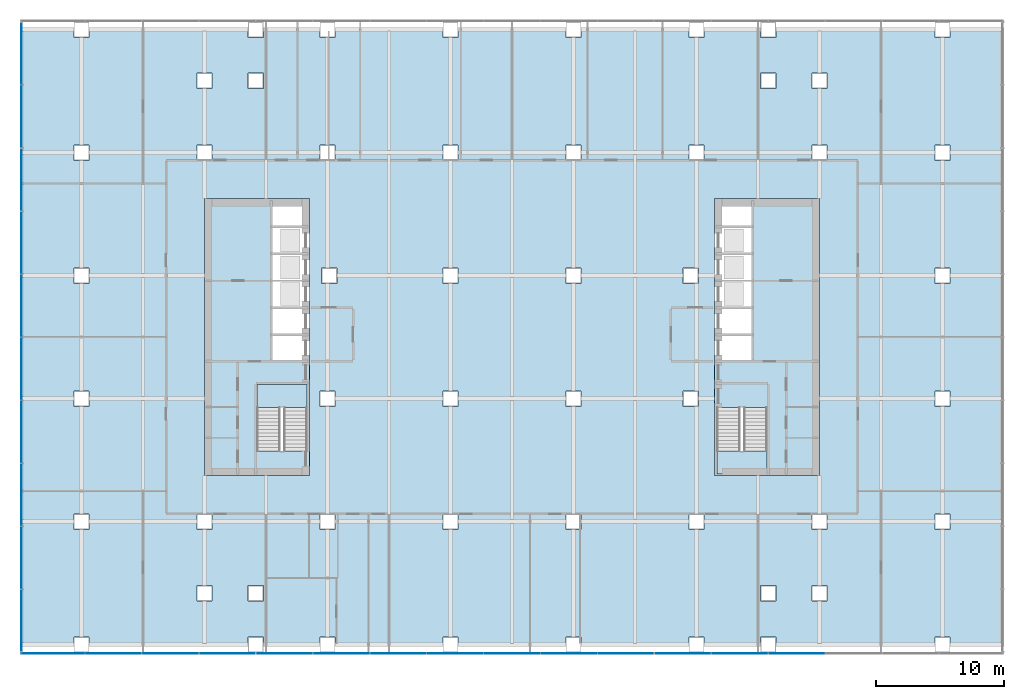
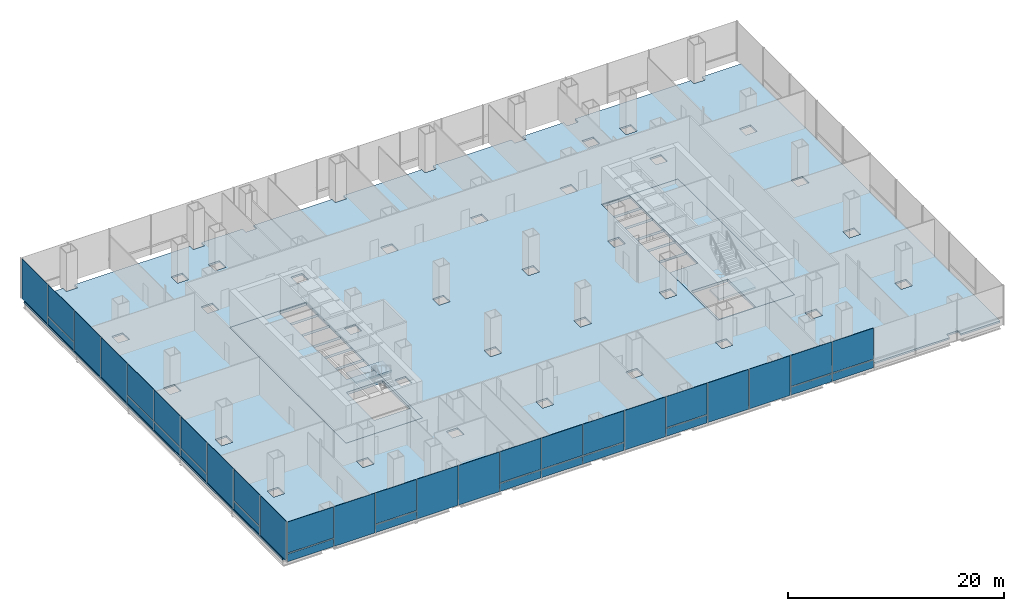
# One storey, part 14 of 23: 37 plates, 5 slabs, 4 elements without a shape of their own.
"""IFC4 building model written with IfcOpenShell, lengths in metres."""

import ifcopenshell
import ifcopenshell.guid

model = None  # the IFC model being written
_history = None  # IfcOwnerHistory: only IFC2X3 demands one
_inside = {}  # id of a spatial element -> (the spatial element, [elements in it])
_under = {}  # id of a project, library or spatial element -> (it, [spatial elements below it])
_declared = {}  # id of a project -> (the project, [libraries it declares])
_typed = {}  # id of a type object -> (the type object, [elements of that type])
_made_of = {}  # id of a material, layer set ... -> (it, [elements and type objects made of it])


def new_model(schema):
    """Start an empty IFC model of exactly this schema.

    Asked for "IFC4X3", IfcOpenShell would pick the latest addendum, in which some entities
    have other attributes; the version numbers below select the first issue.
    IFC2X3 requires an IfcOwnerHistory on every rooted entity: one is made here for all.
    """
    global model, _history
    if schema == "IFC4X3":
        model = ifcopenshell.file(schema_version=(4, 3, 0, 0))
    else:
        model = ifcopenshell.file(schema=schema)
    _inside.clear()
    _under.clear()
    _declared.clear()
    _typed.clear()
    _made_of.clear()
    _history = None
    if model.schema == "IFC2X3":
        org = make("IfcOrganization", Name="unknown")
        user = make(
            "IfcPersonAndOrganization",
            ThePerson=make("IfcPerson", FamilyName="unknown"),
            TheOrganization=org,
        )
        app = make(
            "IfcApplication",
            ApplicationDeveloper=org,
            Version="unknown",
            ApplicationFullName="unknown",
            ApplicationIdentifier="unknown",
        )
        _history = make(
            "IfcOwnerHistory",
            OwningUser=user,
            OwningApplication=app,
            ChangeAction="ADDED",
            CreationDate=0,
        )
    return model


def make(cls, **values):
    """One entity of the class cls with the attributes given. An attribute that is None is left unset."""
    return model.create_entity(
        cls, **{name: value for name, value in values.items() if value is not None}
    )


def rooted(cls, **values):
    """An entity with a GlobalId (a new one), such as an element, a storey or a relation."""
    return make(cls, GlobalId=ifcopenshell.guid.new(), OwnerHistory=_history, **values)


def si_unit(unit_type, name, prefix=None):
    """IfcSIUnit, for example si_unit("LENGTHUNIT", "METRE", prefix="MILLI")."""
    return make("IfcSIUnit", UnitType=unit_type, Prefix=prefix, Name=name)


def assignment(units):
    """IfcUnitAssignment: the units of a project."""
    return None if units is None else make("IfcUnitAssignment", Units=units)


def point(xyz):
    """IfcCartesianPoint."""
    return None if xyz is None else make("IfcCartesianPoint", Coordinates=xyz)


def direction(xyz):
    """IfcDirection."""
    return None if xyz is None else make("IfcDirection", DirectionRatios=xyz)


def frame(location, z_axis=None, x_axis=None):
    """IfcAxis2Placement3D, a coordinate frame: its origin and axes. An axis left out is left unset."""
    return make(
        "IfcAxis2Placement3D",
        Location=point(location),
        Axis=direction(z_axis),
        RefDirection=direction(x_axis),
    )


def frame_2d(location, x_axis=None):
    """IfcAxis2Placement2D, a coordinate frame in the plane: its origin and x axis."""
    return make(
        "IfcAxis2Placement2D", Location=point(location), RefDirection=direction(x_axis)
    )


def origin():
    """The frame at (0, 0, 0) with its axes left unset."""
    return frame((0.0, 0.0, 0.0))


def origin_2d():
    """The frame at (0, 0) in the plane with its x axis left unset."""
    return frame_2d((0.0, 0.0))


def place(relative_to, where):
    """IfcLocalPlacement: puts the frame where relative to a parent placement (None: the world)."""
    return make(
        "IfcLocalPlacement", PlacementRelTo=relative_to, RelativePlacement=where
    )


def context(
    kind, dimensions, precision=None, world=None, true_north=None, identifier=None
):
    """IfcGeometricRepresentationContext, for example the 3D "Model" context."""
    return make(
        "IfcGeometricRepresentationContext",
        ContextIdentifier=identifier,
        ContextType=kind,
        CoordinateSpaceDimension=dimensions,
        Precision=precision,
        WorldCoordinateSystem=world,
        TrueNorth=true_north,
    )


def subcontext(parent, identifier, kind, view, scale=None):
    """IfcGeometricRepresentationSubContext, for example "Body" below "Model"."""
    return make(
        "IfcGeometricRepresentationSubContext",
        ContextIdentifier=identifier,
        ContextType=kind,
        ParentContext=parent,
        TargetScale=scale,
        TargetView=view,
    )


def project(units=None, contexts=None):
    """IfcProject with its units and contexts."""
    return rooted(
        "IfcProject",
        Name="project",
        RepresentationContexts=contexts,
        UnitsInContext=assignment(units),
    )


def spatial(cls, under=None, at=None, **own):
    """A site, building, storey or space (cls), placed at a placement, below another one or the project."""
    s = rooted(cls, ObjectPlacement=at, **own)
    if under is not None:
        _under.setdefault(under.id(), (under, []))[1].append(s)
    return s


def polyline(points):
    """IfcPolyline through the points."""
    return make("IfcPolyline", Points=[point(p) for p in points])


def profile(cls, at=None, kind="AREA", **sizes):
    """A parametric profile (cls). Its sizes go by their IFC names, for example OverallWidth=200.0."""
    return make(cls, ProfileType=kind, Position=at, **sizes)


def rectangle(**sizes):
    """IfcRectangleProfileDef."""
    return profile("IfcRectangleProfileDef", **sizes)


def outline(outer, holes=None, kind="AREA"):
    """IfcArbitraryClosedProfileDef: a profile drawn as a closed curve; with holes, ...WithVoids."""
    if holes is None:
        return make("IfcArbitraryClosedProfileDef", ProfileType=kind, OuterCurve=outer)
    return make(
        "IfcArbitraryProfileDefWithVoids",
        ProfileType=kind,
        OuterCurve=outer,
        InnerCurves=holes,
    )


def extrude(swept, where, along, depth):
    """IfcExtrudedAreaSolid: the profile swept, set in the frame where, extruded along a direction by depth."""
    return make(
        "IfcExtrudedAreaSolid",
        SweptArea=swept,
        Position=where,
        ExtrudedDirection=direction(along),
        Depth=depth,
    )


def shape(context_of_items, identifier, shape_type, items):
    """IfcShapeRepresentation: the items that make up one representation, for example the "Body"."""
    return make(
        "IfcShapeRepresentation",
        ContextOfItems=context_of_items,
        RepresentationIdentifier=identifier,
        RepresentationType=shape_type,
        Items=items,
    )


def material(Name=None, Category=None):
    """IfcMaterial."""
    return make("IfcMaterial", Name=Name, Category=Category)


def layer(
    of_material, thickness, ventilated=None, Name=None, Category=None, Priority=None
):
    """IfcMaterialLayer: one layer of a wall or slab, of a material (None: an air gap)."""
    return make(
        "IfcMaterialLayer",
        Material=of_material,
        LayerThickness=thickness,
        IsVentilated=ventilated,
        Name=Name,
        Category=Category,
        Priority=Priority,
    )


def layer_set(layers, Name=None):
    """IfcMaterialLayerSet."""
    return make("IfcMaterialLayerSet", MaterialLayers=layers, LayerSetName=Name)


def made_of(thing, what):
    """Note that an element or type object is made of a material, layer set ...; save() writes the relation."""
    if what is not None:
        _made_of.setdefault(what.id(), (what, []))[1].append(thing)
    return thing


def type_object(cls, material=None, **own):
    """A type object (cls), such as IfcWallType, which elements share."""
    return made_of(rooted(cls, **own), material)


def element(
    cls,
    number,
    at=None,
    inside=None,
    cuts=None,
    type_object=None,
    material=None,
    context=None,
    identifier="Body",
    shape_type=None,
    held_by="IfcProductDefinitionShape",
    body=None,
    shapes=None,
    **own,
):
    """One element of the class cls, such as IfcWall. Its Tag is "e" and its number.

    at: its placement. inside: the storey or other place that contains it. cuts: it is an
    opening in that element (IfcRelVoidsElement). A single representation is given by context,
    identifier, shape_type and body (its items); several are given by shapes. held_by: the class
    of the entity that holds the representations. save() writes the other relations.
    """
    e = rooted(cls, Tag="e%d" % number, ObjectPlacement=at, **own)
    if body is not None:
        shapes = [shape(context, identifier, shape_type, body)]
    if shapes is not None:
        e.Representation = make(held_by, Representations=shapes)
    if inside is not None:
        _inside.setdefault(inside.id(), (inside, []))[1].append(e)
    if cuts is not None:
        rooted(
            "IfcRelVoidsElement", RelatingBuildingElement=cuts, RelatedOpeningElement=e
        )
    if type_object is not None:
        _typed.setdefault(type_object.id(), (type_object, []))[1].append(e)
    return made_of(e, material)


def aggregate(whole, parts):
    """IfcRelAggregates: a whole, such as a stair, and the parts it consists of."""
    return rooted("IfcRelAggregates", RelatingObject=whole, RelatedObjects=parts)


def save(model, path):
    """Write the relations noted so far, then the file.

    IfcRelAggregates (storeys below a building ...), IfcRelContainedInSpatialStructure (elements
    in a storey), IfcRelDefinesByType, IfcRelAssociatesMaterial and IfcRelDeclares: one each for
    every whole, place, type object, material and project.
    """
    for whole, parts in _under.values():
        aggregate(whole, parts)
    for where, things in _inside.values():
        rooted(
            "IfcRelContainedInSpatialStructure",
            RelatedElements=things,
            RelatingStructure=where,
        )
    for kind, things in _typed.values():
        rooted("IfcRelDefinesByType", RelatedObjects=things, RelatingType=kind)
    for what, things in _made_of.values():
        rooted("IfcRelAssociatesMaterial", RelatedObjects=things, RelatingMaterial=what)
    for by, libraries in _declared.values():
        rooted("IfcRelDeclares", RelatingContext=by, RelatedDefinitions=libraries)
    model.write(path)


model = new_model("IFC4")

# Units and contexts
model_context = context("Model", 3, precision=1e-05, world=origin(), true_north=direction((0.0, 1.0)))
body_context = subcontext(model_context, "Body", "Model", "MODEL_VIEW")
ifc_project = project(units=[si_unit("LENGTHUNIT", "METRE"), si_unit("AREAUNIT", "SQUARE_METRE"), si_unit("VOLUMEUNIT", "CUBIC_METRE"), si_unit("PLANEANGLEUNIT", "RADIAN"), si_unit("MASSUNIT", "GRAM", prefix="KILO")], contexts=[model_context])

# Site, building, storey
site_placement = place(None, origin())
site = spatial("IfcSite", under=ifc_project, at=site_placement, CompositionType="ELEMENT")
building_placement = place(site_placement, origin())
building = spatial("IfcBuilding", under=site, at=building_placement, Name="Cobrizo Arcos Hotel Tower", CompositionType="ELEMENT")
storey_placement = place(building_placement, frame((0.0, 0.0, 20.0)))
storey = spatial("IfcBuildingStorey", under=building, at=storey_placement, Name="L03", CompositionType="ELEMENT", Elevation=20.0)

# Curtain wall, plates
ifc_material_1 = material(Name="Aluminium 6063-T6 anodised bronze", Category="aluminium")
curtain_wall_type_1 = type_object("IfcCurtainWallType", Name="CW-A guest facade", PredefinedType="NOTDEFINED", material=ifc_material_1)
curtain_wall_1_placement = place(storey_placement, origin())
curtain_wall_1 = element("IfcCurtainWall", 1, at=curtain_wall_1_placement, inside=storey, type_object=curtain_wall_type_1, Name="CW-A L03 S face", PredefinedType="NOTDEFINED")
ifc_material_2 = material(Name="Glass clear laminated low-e", Category="glass")
ifc_layer_1 = layer(ifc_material_2, 0.0400390625)
ifc_layer_set_1 = layer_set([ifc_layer_1], Name="CW-A glass panel")
plate_type_1 = type_object("IfcPlateType", Name="CW-A glass panel", PredefinedType="CURTAIN_PANEL", material=ifc_layer_set_1)
plate_1_placement = place(storey_placement, frame((-35.839111328125, -24.675048828125, 0.990234375), z_axis=(0.0, 0.0, 1.0), x_axis=(1.0, 0.0, 0.0)))
plate_1 = element("IfcPlate", 2, at=plate_1_placement, type_object=plate_type_1, Name="CW-A glass panel 198", PredefinedType="CURTAIN_PANEL", context=body_context, shape_type="SweptSolid", body=[
    extrude(rectangle(XDim=4.95166015625, YDim=0.0400390625, at=origin_2d()), origin(), (0.0, 0.0, 1.0), 3.510009765625),
])
plate_2_placement = place(storey_placement, frame((-26.666748046875, -24.675048828125, 0.990234375), z_axis=(0.0, 0.0, 1.0), x_axis=(1.0, 0.0, 0.0)))
plate_2 = element("IfcPlate", 3, at=plate_2_placement, type_object=plate_type_1, Name="CW-A glass panel 200", PredefinedType="CURTAIN_PANEL", context=body_context, shape_type="SweptSolid", body=[
    extrude(rectangle(XDim=4.384521484375, YDim=0.0400390625, at=origin_2d()), origin(), (0.0, 0.0, 1.0), 3.510009765625),
])
plate_3_placement = place(storey_placement, frame((-13.333251953125, -24.675048828125, 0.990234375), z_axis=(0.0, 0.0, 1.0), x_axis=(1.0, 0.0, 0.0)))
plate_3 = element("IfcPlate", 4, at=plate_3_placement, type_object=plate_type_1, Name="CW-A glass panel 203", PredefinedType="CURTAIN_PANEL", context=body_context, shape_type="SweptSolid", body=[
    extrude(rectangle(XDim=4.384521484375, YDim=0.0400390625, at=origin_2d()), origin(), (0.0, 0.0, 1.0), 3.510009765625),
])
plate_4_placement = place(storey_placement, frame((-8.888916015625, -24.675048828125, 0.990234375), z_axis=(0.0, 0.0, 1.0), x_axis=(1.0, 0.0, 0.0)))
plate_4 = element("IfcPlate", 5, at=plate_4_placement, type_object=plate_type_1, Name="CW-A glass panel 204", PredefinedType="CURTAIN_PANEL", context=body_context, shape_type="SweptSolid", body=[
    extrude(rectangle(XDim=4.384521484375, YDim=0.0400390625, at=origin_2d()), origin(), (0.0, 0.0, 1.0), 3.510009765625),
])
plate_5_placement = place(storey_placement, frame((-4.4443359375, -24.675048828125, 0.990234375), z_axis=(0.0, 0.0, 1.0), x_axis=(1.0, 0.0, 0.0)))
plate_5 = element("IfcPlate", 6, at=plate_5_placement, type_object=plate_type_1, Name="CW-A glass panel 205", PredefinedType="CURTAIN_PANEL", context=body_context, shape_type="SweptSolid", body=[
    extrude(rectangle(XDim=4.384521484375, YDim=0.0400390625, at=origin_2d()), origin(), (0.0, 0.0, 1.0), 3.510009765625),
])
plate_6_placement = place(storey_placement, frame((4.4443359375, -24.675048828125, 0.990234375), z_axis=(0.0, 0.0, 1.0), x_axis=(1.0, 0.0, 0.0)))
plate_6 = element("IfcPlate", 7, at=plate_6_placement, type_object=plate_type_1, Name="CW-A glass panel 207", PredefinedType="CURTAIN_PANEL", context=body_context, shape_type="SweptSolid", body=[
    extrude(rectangle(XDim=4.384521484375, YDim=0.0400390625, at=origin_2d()), origin(), (0.0, 0.0, 1.0), 3.510009765625),
])
plate_7_placement = place(storey_placement, frame((17.77783203125, -24.675048828125, 0.990234375), z_axis=(0.0, 0.0, 1.0), x_axis=(1.0, 0.0, 0.0)))
plate_7 = element("IfcPlate", 8, at=plate_7_placement, type_object=plate_type_1, Name="CW-A glass panel 210", PredefinedType="CURTAIN_PANEL", context=body_context, shape_type="SweptSolid", body=[
    extrude(rectangle(XDim=4.384521484375, YDim=0.0400390625, at=origin_2d()), origin(), (0.0, 0.0, 1.0), 3.510009765625),
])
plate_8_placement = place(storey_placement, frame((22.22216796875, -24.675048828125, 0.990234375), z_axis=(0.0, 0.0, 1.0), x_axis=(1.0, 0.0, 0.0)))
plate_8 = element("IfcPlate", 9, at=plate_8_placement, type_object=plate_type_1, Name="CW-A glass panel 211", PredefinedType="CURTAIN_PANEL", context=body_context, shape_type="SweptSolid", body=[
    extrude(rectangle(XDim=4.384521484375, YDim=0.0400390625, at=origin_2d()), origin(), (0.0, 0.0, 1.0), 3.510009765625),
])
ifc_material_3 = material(Name="Aluminium composite panel pale metal", Category="aluminium")
ifc_layer_2 = layer(ifc_material_3, 0.0400390625)
ifc_layer_set_2 = layer_set([ifc_layer_2], Name="CW-A spandrel panel")
plate_type_2 = type_object("IfcPlateType", Name="CW-A spandrel panel", PredefinedType="CURTAIN_PANEL", material=ifc_layer_set_2)
plate_9_placement = place(storey_placement, frame((-35.839111328125, -24.675048828125, 0.0), z_axis=(0.0, 0.0, 1.0), x_axis=(1.0, 0.0, 0.0)))
plate_9 = element("IfcPlate", 10, at=plate_9_placement, type_object=plate_type_2, Name="CW-A spandrel panel 198", PredefinedType="CURTAIN_PANEL", context=body_context, shape_type="SweptSolid", body=[
    extrude(rectangle(XDim=4.95166015625, YDim=0.0400390625, at=origin_2d()), origin(), (0.0, 0.0, 1.0), 0.8701171875),
])
plate_10_placement = place(storey_placement, frame((-31.111083984375, -24.675048828125, 0.0), z_axis=(0.0, 0.0, 1.0), x_axis=(1.0, 0.0, 0.0)))
plate_10 = element("IfcPlate", 11, at=plate_10_placement, type_object=plate_type_2, Name="CW-A spandrel panel 199", PredefinedType="CURTAIN_PANEL", context=body_context, shape_type="SweptSolid", body=[
    extrude(rectangle(XDim=4.384521484375, YDim=0.0400390625, at=origin_2d()), origin(), (0.0, 0.0, 1.0), 4.5),
])
plate_11_placement = place(storey_placement, frame((-26.666748046875, -24.675048828125, 0.0), z_axis=(0.0, 0.0, 1.0), x_axis=(1.0, 0.0, 0.0)))
plate_11 = element("IfcPlate", 12, at=plate_11_placement, type_object=plate_type_2, Name="CW-A spandrel panel 200", PredefinedType="CURTAIN_PANEL", context=body_context, shape_type="SweptSolid", body=[
    extrude(rectangle(XDim=4.384521484375, YDim=0.0400390625, at=origin_2d()), origin(), (0.0, 0.0, 1.0), 0.8701171875),
])
plate_12_placement = place(storey_placement, frame((-22.22216796875, -24.675048828125, 0.0), z_axis=(0.0, 0.0, 1.0), x_axis=(1.0, 0.0, 0.0)))
plate_12 = element("IfcPlate", 13, at=plate_12_placement, type_object=plate_type_2, Name="CW-A spandrel panel 201", PredefinedType="CURTAIN_PANEL", context=body_context, shape_type="SweptSolid", body=[
    extrude(rectangle(XDim=4.384521484375, YDim=0.0400390625, at=origin_2d()), origin(), (0.0, 0.0, 1.0), 4.5),
])
plate_13_placement = place(storey_placement, frame((-17.77783203125, -24.675048828125, 0.0), z_axis=(0.0, 0.0, 1.0), x_axis=(1.0, 0.0, 0.0)))
plate_13 = element("IfcPlate", 14, at=plate_13_placement, type_object=plate_type_2, Name="CW-A spandrel panel 202", PredefinedType="CURTAIN_PANEL", context=body_context, shape_type="SweptSolid", body=[
    extrude(rectangle(XDim=4.384521484375, YDim=0.0400390625, at=origin_2d()), origin(), (0.0, 0.0, 1.0), 4.5),
])
plate_14_placement = place(storey_placement, frame((-13.333251953125, -24.675048828125, 0.0), z_axis=(0.0, 0.0, 1.0), x_axis=(1.0, 0.0, 0.0)))
plate_14 = element("IfcPlate", 15, at=plate_14_placement, type_object=plate_type_2, Name="CW-A spandrel panel 203", PredefinedType="CURTAIN_PANEL", context=body_context, shape_type="SweptSolid", body=[
    extrude(rectangle(XDim=4.384521484375, YDim=0.0400390625, at=origin_2d()), origin(), (0.0, 0.0, 1.0), 0.8701171875),
])
plate_15_placement = place(storey_placement, frame((-8.888916015625, -24.675048828125, 0.0), z_axis=(0.0, 0.0, 1.0), x_axis=(1.0, 0.0, 0.0)))
plate_15 = element("IfcPlate", 16, at=plate_15_placement, type_object=plate_type_2, Name="CW-A spandrel panel 204", PredefinedType="CURTAIN_PANEL", context=body_context, shape_type="SweptSolid", body=[
    extrude(rectangle(XDim=4.384521484375, YDim=0.0400390625, at=origin_2d()), origin(), (0.0, 0.0, 1.0), 0.8701171875),
])
plate_16_placement = place(storey_placement, frame((-4.4443359375, -24.675048828125, 0.0), z_axis=(0.0, 0.0, 1.0), x_axis=(1.0, 0.0, 0.0)))
plate_16 = element("IfcPlate", 17, at=plate_16_placement, type_object=plate_type_2, Name="CW-A spandrel panel 205", PredefinedType="CURTAIN_PANEL", context=body_context, shape_type="SweptSolid", body=[
    extrude(rectangle(XDim=4.384521484375, YDim=0.0400390625, at=origin_2d()), origin(), (0.0, 0.0, 1.0), 0.8701171875),
])
plate_17_placement = place(storey_placement, frame((0.0, -24.675048828125, 0.0), z_axis=(0.0, 0.0, 1.0), x_axis=(1.0, 0.0, 0.0)))
plate_17 = element("IfcPlate", 18, at=plate_17_placement, type_object=plate_type_2, Name="CW-A spandrel panel 206", PredefinedType="CURTAIN_PANEL", context=body_context, shape_type="SweptSolid", body=[
    extrude(rectangle(XDim=4.384521484375, YDim=0.0400390625, at=origin_2d()), origin(), (0.0, 0.0, 1.0), 4.5),
])
plate_18_placement = place(storey_placement, frame((4.4443359375, -24.675048828125, 0.0), z_axis=(0.0, 0.0, 1.0), x_axis=(1.0, 0.0, 0.0)))
plate_18 = element("IfcPlate", 19, at=plate_18_placement, type_object=plate_type_2, Name="CW-A spandrel panel 207", PredefinedType="CURTAIN_PANEL", context=body_context, shape_type="SweptSolid", body=[
    extrude(rectangle(XDim=4.384521484375, YDim=0.0400390625, at=origin_2d()), origin(), (0.0, 0.0, 1.0), 0.8701171875),
])
plate_19_placement = place(storey_placement, frame((8.888916015625, -24.675048828125, 0.0), z_axis=(0.0, 0.0, 1.0), x_axis=(1.0, 0.0, 0.0)))
plate_19 = element("IfcPlate", 20, at=plate_19_placement, type_object=plate_type_2, Name="CW-A spandrel panel 208", PredefinedType="CURTAIN_PANEL", context=body_context, shape_type="SweptSolid", body=[
    extrude(rectangle(XDim=4.384521484375, YDim=0.0400390625, at=origin_2d()), origin(), (0.0, 0.0, 1.0), 4.5),
])
plate_20_placement = place(storey_placement, frame((13.333251953125, -24.675048828125, 0.0), z_axis=(0.0, 0.0, 1.0), x_axis=(1.0, 0.0, 0.0)))
plate_20 = element("IfcPlate", 21, at=plate_20_placement, type_object=plate_type_2, Name="CW-A spandrel panel 209", PredefinedType="CURTAIN_PANEL", context=body_context, shape_type="SweptSolid", body=[
    extrude(rectangle(XDim=4.384521484375, YDim=0.0400390625, at=origin_2d()), origin(), (0.0, 0.0, 1.0), 4.5),
])
plate_21_placement = place(storey_placement, frame((17.77783203125, -24.675048828125, 0.0), z_axis=(0.0, 0.0, 1.0), x_axis=(1.0, 0.0, 0.0)))
plate_21 = element("IfcPlate", 22, at=plate_21_placement, type_object=plate_type_2, Name="CW-A spandrel panel 210", PredefinedType="CURTAIN_PANEL", context=body_context, shape_type="SweptSolid", body=[
    extrude(rectangle(XDim=4.384521484375, YDim=0.0400390625, at=origin_2d()), origin(), (0.0, 0.0, 1.0), 0.8701171875),
])
plate_22_placement = place(storey_placement, frame((22.22216796875, -24.675048828125, 0.0), z_axis=(0.0, 0.0, 1.0), x_axis=(1.0, 0.0, 0.0)))
plate_22 = element("IfcPlate", 23, at=plate_22_placement, type_object=plate_type_2, Name="CW-A spandrel panel 211", PredefinedType="CURTAIN_PANEL", context=body_context, shape_type="SweptSolid", body=[
    extrude(rectangle(XDim=4.384521484375, YDim=0.0400390625, at=origin_2d()), origin(), (0.0, 0.0, 1.0), 0.8701171875),
])
aggregate(curtain_wall_1, [plate_9, plate_1, plate_10, plate_11, plate_2, plate_12, plate_13, plate_14, plate_3, plate_15, plate_4, plate_16, plate_5, plate_17, plate_18, plate_6, plate_19, plate_20, plate_21, plate_7, plate_22, plate_8])

curtain_wall_type_2 = type_object("IfcCurtainWallType", Name="CW-B podium glazing", PredefinedType="NOTDEFINED", material=ifc_material_1)
curtain_wall_2_placement = place(storey_placement, origin())
curtain_wall_2 = element("IfcCurtainWall", 24, at=curtain_wall_2_placement, inside=storey, type_object=curtain_wall_type_2, Name="CW-B L03 W face", PredefinedType="NOTDEFINED")
ifc_layer_3 = layer(ifc_material_2, 0.0400390625)
ifc_layer_set_3 = layer_set([ifc_layer_3], Name="CW-B glass panel")
plate_type_3 = type_object("IfcPlateType", Name="CW-B glass panel", PredefinedType="CURTAIN_PANEL", material=ifc_layer_set_3)
plate_23_placement = place(storey_placement, frame((-38.300048828125, 17.219970703125, 0.97998046875), z_axis=(0.0, 0.0, 1.0), x_axis=(0.0, -1.0, 0.0)))
plate_23 = element("IfcPlate", 25, at=plate_23_placement, type_object=plate_type_3, Name="CW-B glass panel 189", PredefinedType="CURTAIN_PANEL", context=body_context, shape_type="SweptSolid", body=[
    extrude(rectangle(XDim=4.840087890625, YDim=0.0400390625, at=origin_2d()), origin(), (0.0, 0.0, 1.0), 3.52001953125),
])
plate_24_placement = place(storey_placement, frame((-38.300048828125, 2.4599609375, 0.97998046875), z_axis=(0.0, 0.0, 1.0), x_axis=(0.0, -1.0, 0.0)))
plate_24 = element("IfcPlate", 26, at=plate_24_placement, type_object=plate_type_3, Name="CW-B glass panel 192", PredefinedType="CURTAIN_PANEL", context=body_context, shape_type="SweptSolid", body=[
    extrude(rectangle(XDim=4.840087890625, YDim=0.0400390625, at=origin_2d()), origin(), (0.0, 0.0, 1.0), 3.52001953125),
])
plate_25_placement = place(storey_placement, frame((-38.300048828125, -2.4599609375, 0.97998046875), z_axis=(0.0, 0.0, 1.0), x_axis=(0.0, -1.0, 0.0)))
plate_25 = element("IfcPlate", 27, at=plate_25_placement, type_object=plate_type_3, Name="CW-B glass panel 193", PredefinedType="CURTAIN_PANEL", context=body_context, shape_type="SweptSolid", body=[
    extrude(rectangle(XDim=4.840087890625, YDim=0.0400390625, at=origin_2d()), origin(), (0.0, 0.0, 1.0), 3.52001953125),
])
plate_26_placement = place(storey_placement, frame((-38.300048828125, -7.3798828125, 0.97998046875), z_axis=(0.0, 0.0, 1.0), x_axis=(0.0, -1.0, 0.0)))
plate_26 = element("IfcPlate", 28, at=plate_26_placement, type_object=plate_type_3, Name="CW-B glass panel 194", PredefinedType="CURTAIN_PANEL", context=body_context, shape_type="SweptSolid", body=[
    extrude(rectangle(XDim=4.840087890625, YDim=0.0400390625, at=origin_2d()), origin(), (0.0, 0.0, 1.0), 3.52001953125),
])
plate_27_placement = place(storey_placement, frame((-38.300048828125, -17.219970703125, 0.97998046875), z_axis=(0.0, 0.0, 1.0), x_axis=(0.0, -1.0, 0.0)))
plate_27 = element("IfcPlate", 29, at=plate_27_placement, type_object=plate_type_3, Name="CW-B glass panel 196", PredefinedType="CURTAIN_PANEL", context=body_context, shape_type="SweptSolid", body=[
    extrude(rectangle(XDim=4.840087890625, YDim=0.0400390625, at=origin_2d()), origin(), (0.0, 0.0, 1.0), 3.52001953125),
])
ifc_layer_4 = layer(ifc_material_3, 0.06005859375)
ifc_layer_set_4 = layer_set([ifc_layer_4], Name="CW-B spandrel panel")
plate_type_4 = type_object("IfcPlateType", Name="CW-B spandrel panel", PredefinedType="CURTAIN_PANEL", material=ifc_layer_set_4)
plate_28_placement = place(storey_placement, frame((-38.300048828125, 22.1201171875, 0.0), z_axis=(0.0, 0.0, 1.0), x_axis=(0.0, -1.0, 0.0)))
plate_28 = element("IfcPlate", 30, at=plate_28_placement, type_object=plate_type_4, Name="CW-B spandrel panel 188", PredefinedType="CURTAIN_PANEL", context=body_context, shape_type="SweptSolid", body=[
    extrude(rectangle(XDim=4.800048828125, YDim=0.0400390625, at=origin_2d()), origin(), (0.0, 0.0, 1.0), 4.5),
])
plate_29_placement = place(storey_placement, frame((-38.300048828125, 17.219970703125, 0.0), z_axis=(0.0, 0.0, 1.0), x_axis=(0.0, -1.0, 0.0)))
plate_29 = element("IfcPlate", 31, at=plate_29_placement, type_object=plate_type_4, Name="CW-B spandrel panel 189", PredefinedType="CURTAIN_PANEL", context=body_context, shape_type="SweptSolid", body=[
    extrude(rectangle(XDim=4.840087890625, YDim=0.0400390625, at=origin_2d()), origin(), (0.0, 0.0, 1.0), 0.820068359375),
])
plate_30_placement = place(storey_placement, frame((-38.300048828125, 12.300048828125, 0.0), z_axis=(0.0, 0.0, 1.0), x_axis=(0.0, -1.0, 0.0)))
plate_30 = element("IfcPlate", 32, at=plate_30_placement, type_object=plate_type_4, Name="CW-B spandrel panel 190", PredefinedType="CURTAIN_PANEL", context=body_context, shape_type="SweptSolid", body=[
    extrude(rectangle(XDim=4.840087890625, YDim=0.0400390625, at=origin_2d()), origin(), (0.0, 0.0, 1.0), 4.5),
])
plate_31_placement = place(storey_placement, frame((-38.300048828125, 7.3798828125, 0.0), z_axis=(0.0, 0.0, 1.0), x_axis=(0.0, -1.0, 0.0)))
plate_31 = element("IfcPlate", 33, at=plate_31_placement, type_object=plate_type_4, Name="CW-B spandrel panel 191", PredefinedType="CURTAIN_PANEL", context=body_context, shape_type="SweptSolid", body=[
    extrude(rectangle(XDim=4.840087890625, YDim=0.0400390625, at=origin_2d()), origin(), (0.0, 0.0, 1.0), 4.5),
])
plate_32_placement = place(storey_placement, frame((-38.300048828125, 2.4599609375, 0.0), z_axis=(0.0, 0.0, 1.0), x_axis=(0.0, -1.0, 0.0)))
plate_32 = element("IfcPlate", 34, at=plate_32_placement, type_object=plate_type_4, Name="CW-B spandrel panel 192", PredefinedType="CURTAIN_PANEL", context=body_context, shape_type="SweptSolid", body=[
    extrude(rectangle(XDim=4.840087890625, YDim=0.0400390625, at=origin_2d()), origin(), (0.0, 0.0, 1.0), 0.820068359375),
])
plate_33_placement = place(storey_placement, frame((-38.300048828125, -2.4599609375, 0.0), z_axis=(0.0, 0.0, 1.0), x_axis=(0.0, -1.0, 0.0)))
plate_33 = element("IfcPlate", 35, at=plate_33_placement, type_object=plate_type_4, Name="CW-B spandrel panel 193", PredefinedType="CURTAIN_PANEL", context=body_context, shape_type="SweptSolid", body=[
    extrude(rectangle(XDim=4.840087890625, YDim=0.0400390625, at=origin_2d()), origin(), (0.0, 0.0, 1.0), 0.820068359375),
])
plate_34_placement = place(storey_placement, frame((-38.300048828125, -7.3798828125, 0.0), z_axis=(0.0, 0.0, 1.0), x_axis=(0.0, -1.0, 0.0)))
plate_34 = element("IfcPlate", 36, at=plate_34_placement, type_object=plate_type_4, Name="CW-B spandrel panel 194", PredefinedType="CURTAIN_PANEL", context=body_context, shape_type="SweptSolid", body=[
    extrude(rectangle(XDim=4.840087890625, YDim=0.0400390625, at=origin_2d()), origin(), (0.0, 0.0, 1.0), 0.820068359375),
])
plate_35_placement = place(storey_placement, frame((-38.300048828125, -12.300048828125, 0.0), z_axis=(0.0, 0.0, 1.0), x_axis=(0.0, -1.0, 0.0)))
plate_35 = element("IfcPlate", 37, at=plate_35_placement, type_object=plate_type_4, Name="CW-B spandrel panel 195", PredefinedType="CURTAIN_PANEL", context=body_context, shape_type="SweptSolid", body=[
    extrude(rectangle(XDim=4.840087890625, YDim=0.0400390625, at=origin_2d()), origin(), (0.0, 0.0, 1.0), 4.5),
])
plate_36_placement = place(storey_placement, frame((-38.300048828125, -17.219970703125, 0.0), z_axis=(0.0, 0.0, 1.0), x_axis=(0.0, -1.0, 0.0)))
plate_36 = element("IfcPlate", 38, at=plate_36_placement, type_object=plate_type_4, Name="CW-B spandrel panel 196", PredefinedType="CURTAIN_PANEL", context=body_context, shape_type="SweptSolid", body=[
    extrude(rectangle(XDim=4.840087890625, YDim=0.0400390625, at=origin_2d()), origin(), (0.0, 0.0, 1.0), 0.820068359375),
])
plate_37_placement = place(storey_placement, frame((-38.300048828125, -22.1201171875, 0.0), z_axis=(0.0, 0.0, 1.0), x_axis=(0.0, -1.0, 0.0)))
plate_37 = element("IfcPlate", 39, at=plate_37_placement, type_object=plate_type_4, Name="CW-B spandrel panel 197", PredefinedType="CURTAIN_PANEL", context=body_context, shape_type="SweptSolid", body=[
    extrude(rectangle(XDim=4.800048828125, YDim=0.0400390625, at=origin_2d()), origin(), (0.0, 0.0, 1.0), 4.5),
])
aggregate(curtain_wall_2, [plate_28, plate_29, plate_23, plate_30, plate_31, plate_32, plate_24, plate_33, plate_25, plate_34, plate_26, plate_35, plate_36, plate_27, plate_37])

# Slabs
ifc_material_4 = material(Name="Concrete f'c 35 MPa", Category="concrete")
ifc_layer_5 = layer(ifc_material_4, 0.199951171875)
ifc_layer_set_5 = layer_set([ifc_layer_5], Name="Composite floor slab 200 f'c 35")
slab_type_1 = type_object("IfcSlabType", Name="Composite floor slab 200 f'c 35", PredefinedType="FLOOR", material=ifc_layer_set_5)
slab_1_placement = place(storey_placement, frame((0.0, 0.0, -0.199951171875)))
element("IfcSlab", 40, at=slab_1_placement, inside=storey, type_object=slab_type_1, Name="Floor slab S4, L03, no. 01", PredefinedType="FLOOR", context=body_context, shape_type="SweptSolid", body=[
    extrude(outline(polyline([(38.39990234375, 24.0), (38.39990234375, -24.0), (34.199951171875, -24.0), (34.199951171875, -23.39990234375), (33.0, -23.39990234375), (33.0, -24.0), (20.60009765625, -24.0), (20.60009765625, -23.39990234375), (19.39990234375, -23.39990234375), (19.39990234375, -24.0), (15.0, -24.0), (15.0, -23.39990234375), (13.800048828125, -23.39990234375), (13.800048828125, -24.0), (5.39990234375, -24.0), (5.39990234375, -23.39990234375), (4.199951171875, -23.39990234375), (4.199951171875, -24.0), (-4.199951171875, -24.0), (-4.199951171875, -23.39990234375), (-5.39990234375, -23.39990234375), (-5.39990234375, -24.0), (-13.800048828125, -24.0), (-13.800048828125, -23.39990234375), (-15.0, -23.39990234375), (-15.0, -24.0), (-19.39990234375, -24.0), (-19.39990234375, -23.39990234375), (-20.60009765625, -23.39990234375), (-20.60009765625, -24.0), (-33.0, -24.0), (-33.0, -23.39990234375), (-34.199951171875, -23.39990234375), (-34.199951171875, -24.0), (-38.39990234375, -24.0), (-38.39990234375, 24.0), (-34.199951171875, 24.0), (-34.199951171875, 23.39990234375), (-33.0, 23.39990234375), (-33.0, 24.0), (-20.60009765625, 24.0), (-20.60009765625, 23.39990234375), (-19.39990234375, 23.39990234375), (-19.39990234375, 24.0), (-15.0, 24.0), (-15.0, 23.39990234375), (-13.800048828125, 23.39990234375), (-13.800048828125, 24.0), (-5.39990234375, 24.0), (-5.39990234375, 23.39990234375), (-4.199951171875, 23.39990234375), (-4.199951171875, 24.0), (4.199951171875, 24.0), (4.199951171875, 23.39990234375), (5.39990234375, 23.39990234375), (5.39990234375, 24.0), (13.800048828125, 24.0), (13.800048828125, 23.39990234375), (15.0, 23.39990234375), (15.0, 24.0), (19.39990234375, 24.0), (19.39990234375, 23.39990234375), (20.60009765625, 23.39990234375), (20.60009765625, 24.0), (33.0, 24.0), (33.0, 23.39990234375), (34.199951171875, 23.39990234375), (34.199951171875, 24.0), (38.39990234375, 24.0)]), holes=[polyline([(-20.60009765625, -20.60009765625), (-19.39990234375, -20.60009765625), (-19.39990234375, -19.39990234375), (-20.60009765625, -19.39990234375), (-20.60009765625, -20.60009765625)]), polyline([(-23.39990234375, -20.60009765625), (-23.39990234375, -19.39990234375), (-24.60009765625, -19.39990234375), (-24.60009765625, -20.60009765625), (-23.39990234375, -20.60009765625)]), polyline([(-34.199951171875, -15.0), (-33.0, -15.0), (-33.0, -13.800048828125), (-34.199951171875, -13.800048828125), (-34.199951171875, -15.0)]), polyline([(-15.0, -15.0), (-13.800048828125, -15.0), (-13.800048828125, -13.800048828125), (-15.0, -13.800048828125), (-15.0, -15.0)]), polyline([(-23.39990234375, -15.0), (-23.39990234375, -13.800048828125), (-24.60009765625, -13.800048828125), (-24.60009765625, -15.0), (-23.39990234375, -15.0)]), polyline([(-15.0, -5.39990234375), (-13.800048828125, -5.39990234375), (-13.800048828125, -4.199951171875), (-15.0, -4.199951171875), (-15.0, -5.39990234375)]), polyline([(-34.199951171875, -5.39990234375), (-33.0, -5.39990234375), (-33.0, -4.199951171875), (-34.199951171875, -4.199951171875), (-34.199951171875, -5.39990234375)]), polyline([(-24.0, -10.800048828125), (-15.800048828125, -10.800048828125), (-15.800048828125, 10.800048828125), (-24.0, 10.800048828125), (-24.0, -10.800048828125)]), polyline([(-34.199951171875, 4.199951171875), (-33.0, 4.199951171875), (-33.0, 5.39990234375), (-34.199951171875, 5.39990234375), (-34.199951171875, 4.199951171875)]), polyline([(-24.60009765625, 13.800048828125), (-23.39990234375, 13.800048828125), (-23.39990234375, 15.0), (-24.60009765625, 15.0), (-24.60009765625, 13.800048828125)]), polyline([(-34.199951171875, 13.800048828125), (-33.0, 13.800048828125), (-33.0, 15.0), (-34.199951171875, 15.0), (-34.199951171875, 13.800048828125)]), polyline([(-13.800048828125, 13.800048828125), (-13.800048828125, 15.0), (-15.0, 15.0), (-15.0, 13.800048828125), (-13.800048828125, 13.800048828125)]), polyline([(-24.60009765625, 19.39990234375), (-23.39990234375, 19.39990234375), (-23.39990234375, 20.60009765625), (-24.60009765625, 20.60009765625), (-24.60009765625, 19.39990234375)]), polyline([(-20.60009765625, 19.39990234375), (-19.39990234375, 19.39990234375), (-19.39990234375, 20.60009765625), (-20.60009765625, 20.60009765625), (-20.60009765625, 19.39990234375)]), polyline([(13.800048828125, -15.0), (15.0, -15.0), (15.0, -13.800048828125), (13.800048828125, -13.800048828125), (13.800048828125, -15.0)]), polyline([(4.199951171875, -15.0), (5.39990234375, -15.0), (5.39990234375, -13.800048828125), (4.199951171875, -13.800048828125), (4.199951171875, -15.0)]), polyline([(-5.39990234375, -15.0), (-4.199951171875, -15.0), (-4.199951171875, -13.800048828125), (-5.39990234375, -13.800048828125), (-5.39990234375, -15.0)]), polyline([(-5.39990234375, -5.39990234375), (-4.199951171875, -5.39990234375), (-4.199951171875, -4.199951171875), (-5.39990234375, -4.199951171875), (-5.39990234375, -5.39990234375)]), polyline([(4.199951171875, -5.39990234375), (5.39990234375, -5.39990234375), (5.39990234375, -4.199951171875), (4.199951171875, -4.199951171875), (4.199951171875, -5.39990234375)]), polyline([(13.340087890625, -5.39990234375), (14.5400390625, -5.39990234375), (14.5400390625, -4.199951171875), (13.340087890625, -4.199951171875), (13.340087890625, -5.39990234375)]), polyline([(-4.199951171875, 4.199951171875), (-4.199951171875, 5.39990234375), (-5.39990234375, 5.39990234375), (-5.39990234375, 4.199951171875), (-4.199951171875, 4.199951171875)]), polyline([(4.199951171875, 4.199951171875), (5.39990234375, 4.199951171875), (5.39990234375, 5.39990234375), (4.199951171875, 5.39990234375), (4.199951171875, 4.199951171875)]), polyline([(-14.85009765625, 4.199951171875), (-13.64990234375, 4.199951171875), (-13.64990234375, 5.39990234375), (-14.85009765625, 5.39990234375), (-14.85009765625, 4.199951171875)]), polyline([(14.5400390625, 4.199951171875), (14.5400390625, 5.39990234375), (13.340087890625, 5.39990234375), (13.340087890625, 4.199951171875), (14.5400390625, 4.199951171875)]), polyline([(-5.39990234375, 13.800048828125), (-4.199951171875, 13.800048828125), (-4.199951171875, 15.0), (-5.39990234375, 15.0), (-5.39990234375, 13.800048828125)]), polyline([(4.199951171875, 13.800048828125), (5.39990234375, 13.800048828125), (5.39990234375, 15.0), (4.199951171875, 15.0), (4.199951171875, 13.800048828125)]), polyline([(23.39990234375, -20.60009765625), (24.60009765625, -20.60009765625), (24.60009765625, -19.39990234375), (23.39990234375, -19.39990234375), (23.39990234375, -20.60009765625)]), polyline([(20.60009765625, -20.60009765625), (20.60009765625, -19.39990234375), (19.39990234375, -19.39990234375), (19.39990234375, -20.60009765625), (20.60009765625, -20.60009765625)]), polyline([(23.39990234375, -15.0), (24.60009765625, -15.0), (24.60009765625, -13.800048828125), (23.39990234375, -13.800048828125), (23.39990234375, -15.0)]), polyline([(33.0, -15.0), (34.199951171875, -15.0), (34.199951171875, -13.800048828125), (33.0, -13.800048828125), (33.0, -15.0)]), polyline([(33.0, -5.39990234375), (34.199951171875, -5.39990234375), (34.199951171875, -4.199951171875), (33.0, -4.199951171875), (33.0, -5.39990234375)]), polyline([(15.800048828125, -10.800048828125), (24.0, -10.800048828125), (24.0, 10.800048828125), (15.800048828125, 10.800048828125), (15.800048828125, -10.800048828125)]), polyline([(33.0, 4.199951171875), (34.199951171875, 4.199951171875), (34.199951171875, 5.39990234375), (33.0, 5.39990234375), (33.0, 4.199951171875)]), polyline([(13.800048828125, 13.800048828125), (15.0, 13.800048828125), (15.0, 15.0), (13.800048828125, 15.0), (13.800048828125, 13.800048828125)]), polyline([(24.60009765625, 13.800048828125), (24.60009765625, 15.0), (23.39990234375, 15.0), (23.39990234375, 13.800048828125), (24.60009765625, 13.800048828125)]), polyline([(33.0, 13.800048828125), (34.199951171875, 13.800048828125), (34.199951171875, 15.0), (33.0, 15.0), (33.0, 13.800048828125)]), polyline([(19.39990234375, 19.39990234375), (20.60009765625, 19.39990234375), (20.60009765625, 20.60009765625), (19.39990234375, 20.60009765625), (19.39990234375, 19.39990234375)]), polyline([(23.39990234375, 19.39990234375), (24.60009765625, 19.39990234375), (24.60009765625, 20.60009765625), (23.39990234375, 20.60009765625), (23.39990234375, 19.39990234375)])]), origin(), (0.0, 0.0, 1.0), 0.199951171875),
])
ifc_material_5 = material(Name="Concrete f'c 60 MPa", Category="concrete")
ifc_layer_6 = layer(ifc_material_5, 0.300048828125)
ifc_layer_set_6 = layer_set([ifc_layer_6], Name="RC core floor slab 300 f'c 60")
slab_type_2 = type_object("IfcSlabType", Name="RC core floor slab 300 f'c 60", PredefinedType="FLOOR", material=ifc_layer_set_6)
slab_2_placement = place(storey_placement, frame((0.0, 0.0, -0.300048828125)))
element("IfcSlab", 41, at=slab_2_placement, inside=storey, type_object=slab_type_2, Name="Core floor slab CS2, east core, L03", PredefinedType="FLOOR", context=body_context, shape_type="SweptSolid", body=[
    extrude(outline(polyline([(15.800048828125, 10.800048828125), (24.0, 10.800048828125), (24.0, -10.800048828125), (15.800048828125, -10.800048828125), (15.800048828125, 10.800048828125)]), holes=[polyline([(19.89794921875, -10.697998046875), (19.89794921875, -5.501953125), (16.001953125, -5.501953125), (16.001953125, -10.697998046875), (19.89794921875, -10.697998046875)]), polyline([(15.802001953125, 0.197998046875), (15.802001953125, -1.89794921875), (18.798095703125, -1.89794921875), (18.798095703125, 0.197998046875), (15.802001953125, 0.197998046875)]), polyline([(18.798095703125, 2.298095703125), (15.802001953125, 2.298095703125), (15.802001953125, 0.201904296875), (18.798095703125, 0.201904296875), (18.798095703125, 2.298095703125)]), polyline([(18.798095703125, 4.39794921875), (15.802001953125, 4.39794921875), (15.802001953125, 2.302001953125), (18.798095703125, 2.302001953125), (18.798095703125, 4.39794921875)]), polyline([(15.802001953125, 6.498046875), (15.802001953125, 4.402099609375), (18.798095703125, 4.402099609375), (18.798095703125, 6.498046875), (15.802001953125, 6.498046875)]), polyline([(18.798095703125, 8.597900390625), (15.802001953125, 8.597900390625), (15.802001953125, 6.501953125), (18.798095703125, 6.501953125), (18.798095703125, 8.597900390625)]), polyline([(18.798095703125, 10.697998046875), (15.802001953125, 10.697998046875), (15.802001953125, 8.60205078125), (18.798095703125, 8.60205078125), (18.798095703125, 10.697998046875)])]), origin(), (0.0, 0.0, 1.0), 0.300048828125),
])
slab_3_placement = place(storey_placement, frame((0.0, 0.0, -0.300048828125)))
element("IfcSlab", 42, at=slab_3_placement, inside=storey, type_object=slab_type_2, Name="Core floor slab CS2, west core, L03", PredefinedType="FLOOR", context=body_context, shape_type="SweptSolid", body=[
    extrude(outline(polyline([(-24.0, 10.800048828125), (-15.800048828125, 10.800048828125), (-15.800048828125, -10.800048828125), (-24.0, -10.800048828125), (-24.0, 10.800048828125)]), holes=[polyline([(-19.89794921875, -3.701904296875), (-19.89794921875, -8.89794921875), (-16.001953125, -8.89794921875), (-16.001953125, -3.701904296875), (-19.89794921875, -3.701904296875)]), polyline([(-18.798095703125, 0.197998046875), (-18.798095703125, -1.89794921875), (-15.802001953125, -1.89794921875), (-15.802001953125, 0.197998046875), (-18.798095703125, 0.197998046875)]), polyline([(-15.802001953125, 2.298095703125), (-18.798095703125, 2.298095703125), (-18.798095703125, 0.201904296875), (-15.802001953125, 0.201904296875), (-15.802001953125, 2.298095703125)]), polyline([(-15.802001953125, 4.39794921875), (-18.798095703125, 4.39794921875), (-18.798095703125, 2.302001953125), (-15.802001953125, 2.302001953125), (-15.802001953125, 4.39794921875)]), polyline([(-18.798095703125, 6.498046875), (-18.798095703125, 4.402099609375), (-15.802001953125, 4.402099609375), (-15.802001953125, 6.498046875), (-18.798095703125, 6.498046875)]), polyline([(-15.802001953125, 8.597900390625), (-18.798095703125, 8.597900390625), (-18.798095703125, 6.501953125), (-15.802001953125, 6.501953125), (-15.802001953125, 8.597900390625)]), polyline([(-15.802001953125, 10.697998046875), (-18.798095703125, 10.697998046875), (-18.798095703125, 8.60205078125), (-15.802001953125, 8.60205078125), (-15.802001953125, 10.697998046875)])]), origin(), (0.0, 0.0, 1.0), 0.300048828125),
])

# Stair, slab
ifc_material_6 = material(Name="Concrete f'c 40 MPa", Category="concrete")
stair_type = type_object("IfcStairType", Name="Exit stair", PredefinedType="HALF_TURN_STAIR", material=ifc_material_6)
stair_1_placement = place(storey_placement, origin())
stair_1 = element("IfcStair", 43, at=stair_1_placement, inside=storey, type_object=stair_type, Name="L03 Exit stair ST-W", PredefinedType="HALF_TURN_STAIR")
ifc_layer_7 = layer(ifc_material_6, 0.199951171875)
ifc_layer_set_7 = layer_set([ifc_layer_7], Name="Stair landing")
slab_type_3 = type_object("IfcSlabType", Name="Stair landing", PredefinedType="LANDING", material=ifc_layer_set_7)
slab_4_placement = place(storey_placement, frame((0.0, 0.0, 2.050048828125)))
slab_4 = element("IfcSlab", 44, at=slab_4_placement, type_object=slab_type_3, Name="ST-W landing 1", PredefinedType="LANDING", context=body_context, shape_type="SweptSolid", body=[
    extrude(outline(polyline([(-16.0, -5.5), (-16.0, -3.699951171875), (-19.89990234375, -3.699951171875), (-19.89990234375, -5.5), (-16.0, -5.5)])), origin(), (0.0, 0.0, 1.0), 0.199951171875),
])
aggregate(stair_1, [slab_4])

stair_2_placement = place(storey_placement, origin())
stair_2 = element("IfcStair", 45, at=stair_2_placement, inside=storey, type_object=stair_type, Name="L03 Exit stair ST-E", PredefinedType="HALF_TURN_STAIR")
slab_5_placement = place(storey_placement, frame((0.0, 0.0, 2.050048828125)))
slab_5 = element("IfcSlab", 46, at=slab_5_placement, type_object=slab_type_3, Name="ST-E landing 1", PredefinedType="LANDING", context=body_context, shape_type="SweptSolid", body=[
    extrude(outline(polyline([(16.0, -8.89990234375), (16.0, -10.699951171875), (19.89990234375, -10.699951171875), (19.89990234375, -8.89990234375), (16.0, -8.89990234375)])), origin(), (0.0, 0.0, 1.0), 0.199951171875),
])
aggregate(stair_2, [slab_5])

save(model, "model.ifc")
